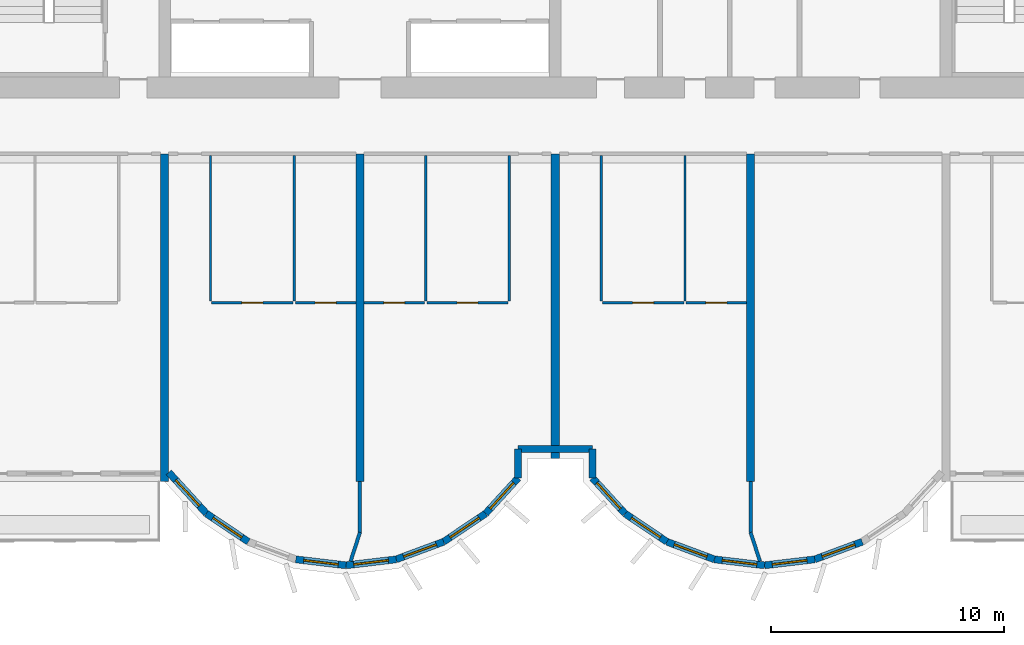
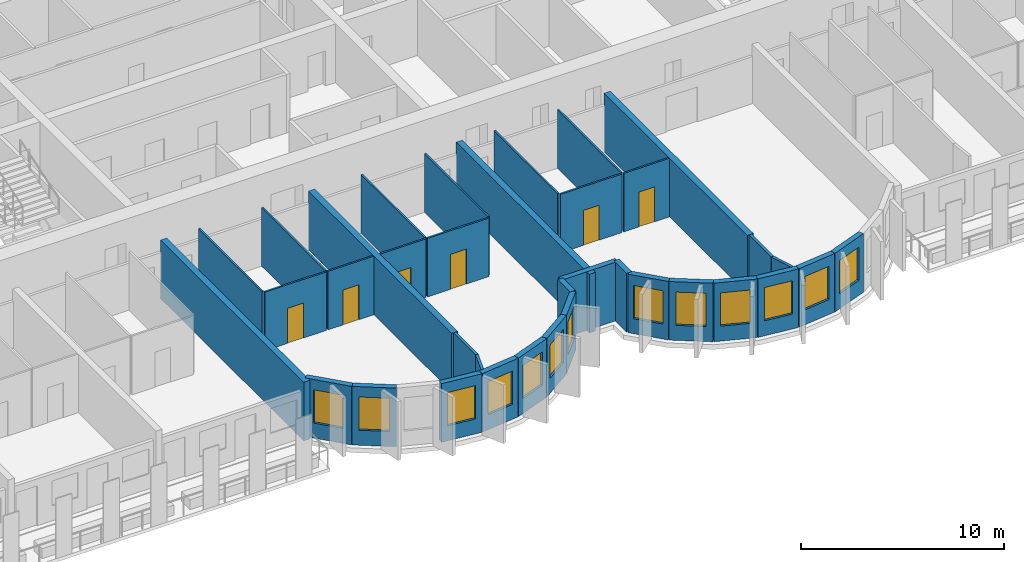
# One storey, part 5 of 14: 36 walls, 13 windows, 6 doors, 19 openings.
"""IFC4 building model written with IfcOpenShell, lengths in metres."""

from ifc_helpers import new_model, si_unit, direction, frame, frame_2d, origin, place, context, subcontext, project, spatial, rectangle, extrude, source, transform, mapped, material, layer, layer_set, type_object, element, fill, save


model = new_model("IFC4")

# Units and contexts
model_context = context("Model", 3, precision=1e-05, world=origin(), true_north=direction((0.0, 1.0)))
body_context = subcontext(model_context, "Body", "Model", "MODEL_VIEW")
ifc_project = project(units=[si_unit("LENGTHUNIT", "METRE"), si_unit("AREAUNIT", "SQUARE_METRE"), si_unit("VOLUMEUNIT", "CUBIC_METRE"), si_unit("PLANEANGLEUNIT", "RADIAN"), si_unit("MASSUNIT", "GRAM", prefix="KILO")], contexts=[model_context])

# Site, building, storey
site_placement = place(None, origin())
site = spatial("IfcSite", under=ifc_project, at=site_placement, CompositionType="ELEMENT")
building_placement = place(site_placement, origin())
building = spatial("IfcBuilding", under=site, at=building_placement, Name="Vanashikhar Sky Hotel", CompositionType="ELEMENT")
storey_placement = place(building_placement, frame((0.0, 0.0, 121.800048828125)))
storey = spatial("IfcBuildingStorey", under=building, at=storey_placement, Name="L29", CompositionType="ELEMENT", Elevation=121.800048828125)

# Walls
ifc_material_1 = material(Name="Concrete M70", Category="concrete")
ifc_layer_1 = layer(ifc_material_1, 0.35009765625)
ifc_layer_set_1 = layer_set([ifc_layer_1], Name="RC shear wall 350 Concrete M70")
wall_type_1 = type_object("IfcWallType", Name="RC shear wall 350 Concrete M70", PredefinedType="SHEAR", material=ifc_layer_set_1)
shared_shape_1 = source(origin(), body_context, "Body", "SweptSolid", [
    extrude(rectangle(XDim=14.10009765625, YDim=0.35009765625, at=frame_2d((7.050048828125, 0.0))), origin(), (0.0, 0.0, 1.0), 3.52001953125),
])
for number, where, z_axis, x_axis, name in (
    (1, (33.60009765625, 5.5, 0.0), (0.0, 0.0, 1.0), (0.0, 1.0, 0.0), "CW-L29-XW05-1"),
    (2, (42.0, 5.5, 0.0), (0.0, 0.0, 1.0), (0.0, 1.0, 0.0), "CW-L29-XW06-1"),
    (3, (58.800048828125, 5.5, 0.0), (0.0, 0.0, 1.0), (0.0, 1.0, 0.0), "CW-L29-XW08-1"),
):
    element("IfcWall", number, at=place(storey_placement, frame(where, z_axis=z_axis, x_axis=x_axis)), inside=storey, type_object=wall_type_1, Name=name, PredefinedType="SHEAR", context=body_context, shape_type="MappedRepresentation", body=[
        mapped(shared_shape_1, transform((0.0, 0.0, 0.0), scale=1.0)),
    ])
shared_shape_2 = source(origin(), body_context, "Body", "SweptSolid", [
    extrude(rectangle(XDim=13.10009765625, YDim=0.35009765625, at=frame_2d((6.550048828125, 0.0))), origin(), (0.0, 0.0, 1.0), 3.52001953125),
])
wall_1_placement = place(storey_placement, frame((50.39990234375, 6.5, 0.0), z_axis=(0.0, 0.0, 1.0), x_axis=(0.0, 1.0, 0.0)))
element("IfcWall", 4, at=wall_1_placement, inside=storey, type_object=wall_type_1, Name="CW-L29-XW07-1", PredefinedType="SHEAR", context=body_context, shape_type="MappedRepresentation", body=[
    mapped(shared_shape_2, transform((0.0, 0.0, 0.0), scale=1.0)),
])

# Wall, opening, window
ifc_material_2 = material(Name="Concrete M50", Category="concrete")
ifc_layer_2 = layer(ifc_material_2, 0.300048828125)
ifc_layer_set_2 = layer_set([ifc_layer_2], Name="Lobe wall 300")
wall_type_2 = type_object("IfcWallType", Name="Lobe wall 300", PredefinedType="SOLIDWALL", material=ifc_layer_set_2)
shared_shape_3 = source(origin(), body_context, "Body", "SweptSolid", [
    extrude(rectangle(XDim=2.398193359375, YDim=0.300048828125, at=frame_2d((1.19921875, 0.0))), origin(), (0.0, 0.0, 1.0), 3.52001953125),
])
wall_2_placement = place(storey_placement, frame((33.776123046875, 5.89990234375, 0.0), z_axis=(0.0, 0.0, 1.0), x_axis=(0.675374189419, -0.737475222815, 0.0)))
wall_2 = element("IfcWall", 5, at=wall_2_placement, inside=storey, type_object=wall_type_2, Name="Lobe wall", PredefinedType="SOLIDWALL", context=body_context, shape_type="MappedRepresentation", body=[
    mapped(shared_shape_3, transform((0.0, 0.0, 0.0), scale=1.0)),
])
shared_shape_4 = source(origin(), body_context, "Body", "SweptSolid", [
    extrude(rectangle(XDim=1.5, YDim=2.0, at=frame_2d((0.75, 1.0))), frame((0.0, 0.16015625, 0.0), z_axis=(0.0, -1.0, 0.0), x_axis=(1.0, 0.0, 0.0)), (0.0, 0.0, 1.0), 0.320068359375),
])
opening_1_placement = place(wall_2_placement, frame((0.44921875, 0.0, 0.89990234375)))
opening_1 = element("IfcOpeningElement", 6, at=opening_1_placement, cuts=wall_2, Name="Opening WN-2", PredefinedType="OPENING", context=body_context, shape_type="MappedRepresentation", body=[
    mapped(shared_shape_4, transform((0.0, 0.0, 0.0), scale=1.0)),
])
ifc_material_3 = material(Name="Glass", Category="glass")
window_type = type_object("IfcWindowType", Name="Lobe window 1500 x 2000", PartitioningType="SINGLE_PANEL", PredefinedType="WINDOW", material=ifc_material_3)
shared_shape_5 = source(origin(), body_context, "Body", "SweptSolid", [
    extrude(rectangle(XDim=1.5, YDim=2.0, at=frame_2d((0.75, 1.0))), frame((0.0, 0.030029296875, 0.0), z_axis=(0.0, -1.0, 0.0), x_axis=(1.0, 0.0, 0.0)), (0.0, 0.0, 1.0), 0.06005859375),
])
window_1_placement = place(opening_1_placement, origin())
window_1 = element("IfcWindow", 7, at=window_1_placement, inside=storey, type_object=window_type, Name="Window WN-2", OverallHeight=2.0, OverallWidth=1.5, PartitioningType="SINGLE_PANEL", PredefinedType="WINDOW", context=body_context, shape_type="MappedRepresentation", body=[
    mapped(shared_shape_5, transform((0.0, 0.0, 0.0), scale=1.0)),
])
fill(opening_1, window_1)

shared_shape_6 = source(origin(), body_context, "Body", "SweptSolid", [
    extrude(rectangle(XDim=2.17578125, YDim=0.300048828125, at=frame_2d((1.087890625, 0.0))), origin(), (0.0, 0.0, 1.0), 3.52001953125),
])
wall_3_placement = place(storey_placement, frame((35.395751953125, 4.13134765625, 0.0), z_axis=(0.0, 0.0, 1.0), x_axis=(0.829590746428, -0.558371913192, 0.0)))
wall_3 = element("IfcWall", 8, at=wall_3_placement, inside=storey, type_object=wall_type_2, Name="Lobe wall", PredefinedType="SOLIDWALL", context=body_context, shape_type="MappedRepresentation", body=[
    mapped(shared_shape_6, transform((0.0, 0.0, 0.0), scale=1.0)),
])
opening_2_placement = place(wall_3_placement, frame((0.337890625, 0.0, 0.89990234375)))
opening_2 = element("IfcOpeningElement", 9, at=opening_2_placement, cuts=wall_3, Name="Opening WN-2", PredefinedType="OPENING", context=body_context, shape_type="MappedRepresentation", body=[
    mapped(shared_shape_4, transform((0.0, 0.0, 0.0), scale=1.0)),
])
window_2_placement = place(opening_2_placement, origin())
window_2 = element("IfcWindow", 10, at=window_2_placement, inside=storey, type_object=window_type, Name="Window WN-2", OverallHeight=2.0, OverallWidth=1.5, PartitioningType="SINGLE_PANEL", PredefinedType="WINDOW", context=body_context, shape_type="MappedRepresentation", body=[
    mapped(shared_shape_5, transform((0.0, 0.0, 0.0), scale=1.0)),
])
fill(opening_2, window_2)

wall_4_placement = place(storey_placement, frame((45.59912109375, 2.91650390625, 0.0), z_axis=(0.0, 0.0, 1.0), x_axis=(0.829625727223, 0.558319937607, 0.0)))
wall_4 = element("IfcWall", 11, at=wall_4_placement, inside=storey, type_object=wall_type_2, Name="Lobe wall", PredefinedType="SOLIDWALL", context=body_context, shape_type="MappedRepresentation", body=[
    mapped(shared_shape_6, transform((0.0, 0.0, 0.0), scale=1.0)),
])
opening_3_placement = place(wall_4_placement, frame((0.337890625, 0.0, 0.89990234375)))
opening_3 = element("IfcOpeningElement", 12, at=opening_3_placement, cuts=wall_4, Name="Opening WN-2", PredefinedType="OPENING", context=body_context, shape_type="MappedRepresentation", body=[
    mapped(shared_shape_4, transform((0.0, 0.0, 0.0), scale=1.0)),
])
window_3_placement = place(opening_3_placement, origin())
window_3 = element("IfcWindow", 13, at=window_3_placement, inside=storey, type_object=window_type, Name="Window WN-2", OverallHeight=2.0, OverallWidth=1.5, PartitioningType="SINGLE_PANEL", PredefinedType="WINDOW", context=body_context, shape_type="MappedRepresentation", body=[
    mapped(shared_shape_5, transform((0.0, 0.0, 0.0), scale=1.0)),
])
fill(opening_3, window_3)

wall_5_placement = place(storey_placement, frame((53.395751953125, 4.13134765625, 0.0), z_axis=(0.0, 0.0, 1.0), x_axis=(0.829590746428, -0.558371913192, 0.0)))
wall_5 = element("IfcWall", 14, at=wall_5_placement, inside=storey, type_object=wall_type_2, Name="Lobe wall", PredefinedType="SOLIDWALL", context=body_context, shape_type="MappedRepresentation", body=[
    mapped(shared_shape_6, transform((0.0, 0.0, 0.0), scale=1.0)),
])
opening_4_placement = place(wall_5_placement, frame((0.337890625, 0.0, 0.89990234375)))
opening_4 = element("IfcOpeningElement", 15, at=opening_4_placement, cuts=wall_5, Name="Opening WN-2", PredefinedType="OPENING", context=body_context, shape_type="MappedRepresentation", body=[
    mapped(shared_shape_4, transform((0.0, 0.0, 0.0), scale=1.0)),
])
window_4_placement = place(opening_4_placement, origin())
window_4 = element("IfcWindow", 16, at=window_4_placement, inside=storey, type_object=window_type, Name="Window WN-2", OverallHeight=2.0, OverallWidth=1.5, PartitioningType="SINGLE_PANEL", PredefinedType="WINDOW", context=body_context, shape_type="MappedRepresentation", body=[
    mapped(shared_shape_5, transform((0.0, 0.0, 0.0), scale=1.0)),
])
fill(opening_4, window_4)

wall_6_placement = place(storey_placement, frame((55.20068359375, 2.91650390625, 0.0), z_axis=(0.0, 0.0, 1.0), x_axis=(0.93754555999, -0.347862505801, 0.0)))
wall_6 = element("IfcWall", 17, at=wall_6_placement, inside=storey, type_object=wall_type_2, Name="Lobe wall", PredefinedType="SOLIDWALL", context=body_context, shape_type="MappedRepresentation", body=[
    mapped(shared_shape_6, transform((0.0, 0.0, 0.0), scale=1.0)),
])
opening_5_placement = place(wall_6_placement, frame((0.337890625, 0.0, 0.89990234375)))
opening_5 = element("IfcOpeningElement", 18, at=opening_5_placement, cuts=wall_6, Name="Opening WN-2", PredefinedType="OPENING", context=body_context, shape_type="MappedRepresentation", body=[
    mapped(shared_shape_4, transform((0.0, 0.0, 0.0), scale=1.0)),
])
window_5_placement = place(opening_5_placement, origin())
window_5 = element("IfcWindow", 19, at=window_5_placement, inside=storey, type_object=window_type, Name="Window WN-2", OverallHeight=2.0, OverallWidth=1.5, PartitioningType="SINGLE_PANEL", PredefinedType="WINDOW", context=body_context, shape_type="MappedRepresentation", body=[
    mapped(shared_shape_5, transform((0.0, 0.0, 0.0), scale=1.0)),
])
fill(opening_5, window_5)

shared_shape_7 = source(origin(), body_context, "Body", "SweptSolid", [
    extrude(rectangle(XDim=2.174560546875, YDim=0.300048828125, at=frame_2d((1.08740234375, 0.0))), origin(), (0.0, 0.0, 1.0), 3.52001953125),
])
wall_7_placement = place(storey_placement, frame((39.240478515625, 2.15966796875, 0.0), z_axis=(0.0, 0.0, 1.0), x_axis=(0.993001132889, -0.118104826659, 0.0)))
wall_7 = element("IfcWall", 20, at=wall_7_placement, inside=storey, type_object=wall_type_2, Name="Lobe wall", PredefinedType="SOLIDWALL", context=body_context, shape_type="MappedRepresentation", body=[
    mapped(shared_shape_7, transform((0.0, 0.0, 0.0), scale=1.0)),
])
opening_6_placement = place(wall_7_placement, frame((0.33740234375, 0.0, 0.89990234375)))
opening_6 = element("IfcOpeningElement", 21, at=opening_6_placement, cuts=wall_7, Name="Opening WN-2", PredefinedType="OPENING", context=body_context, shape_type="MappedRepresentation", body=[
    mapped(shared_shape_4, transform((0.0, 0.0, 0.0), scale=1.0)),
])
window_6_placement = place(opening_6_placement, origin())
window_6 = element("IfcWindow", 22, at=window_6_placement, inside=storey, type_object=window_type, Name="Window WN-2", OverallHeight=2.0, OverallWidth=1.5, PartitioningType="SINGLE_PANEL", PredefinedType="WINDOW", context=body_context, shape_type="MappedRepresentation", body=[
    mapped(shared_shape_5, transform((0.0, 0.0, 0.0), scale=1.0)),
])
fill(opening_6, window_6)

wall_8_placement = place(storey_placement, frame((57.240478515625, 2.15966796875, 0.0), z_axis=(0.0, 0.0, 1.0), x_axis=(0.993001132889, -0.118104826659, 0.0)))
wall_8 = element("IfcWall", 23, at=wall_8_placement, inside=storey, type_object=wall_type_2, Name="Lobe wall", PredefinedType="SOLIDWALL", context=body_context, shape_type="MappedRepresentation", body=[
    mapped(shared_shape_7, transform((0.0, 0.0, 0.0), scale=1.0)),
])
opening_7_placement = place(wall_8_placement, frame((0.33740234375, 0.0, 0.89990234375)))
opening_7 = element("IfcOpeningElement", 24, at=opening_7_placement, cuts=wall_8, Name="Opening WN-2", PredefinedType="OPENING", context=body_context, shape_type="MappedRepresentation", body=[
    mapped(shared_shape_4, transform((0.0, 0.0, 0.0), scale=1.0)),
])
window_7_placement = place(opening_7_placement, origin())
window_7 = element("IfcWindow", 25, at=window_7_placement, inside=storey, type_object=window_type, Name="Window WN-2", OverallHeight=2.0, OverallWidth=1.5, PartitioningType="SINGLE_PANEL", PredefinedType="WINDOW", context=body_context, shape_type="MappedRepresentation", body=[
    mapped(shared_shape_5, transform((0.0, 0.0, 0.0), scale=1.0)),
])
fill(opening_7, window_7)

shared_shape_8 = source(origin(), body_context, "Body", "SweptSolid", [
    extrude(rectangle(XDim=2.1748046875, YDim=0.300048828125, at=frame_2d((1.08740234375, 0.0))), origin(), (0.0, 0.0, 1.0), 3.52001953125),
])
wall_9_placement = place(storey_placement, frame((41.39990234375, 1.90283203125, 0.0), z_axis=(0.0, 0.0, 1.0), x_axis=(0.993002698611, 0.118091661648, 0.0)))
wall_9 = element("IfcWall", 26, at=wall_9_placement, inside=storey, type_object=wall_type_2, Name="Lobe wall", PredefinedType="SOLIDWALL", context=body_context, shape_type="MappedRepresentation", body=[
    mapped(shared_shape_8, transform((0.0, 0.0, 0.0), scale=1.0)),
])
opening_8_placement = place(wall_9_placement, frame((0.33740234375, 0.0, 0.89990234375)))
opening_8 = element("IfcOpeningElement", 27, at=opening_8_placement, cuts=wall_9, Name="Opening WN-2", PredefinedType="OPENING", context=body_context, shape_type="MappedRepresentation", body=[
    mapped(shared_shape_4, transform((0.0, 0.0, 0.0), scale=1.0)),
])
window_8_placement = place(opening_8_placement, origin())
window_8 = element("IfcWindow", 28, at=window_8_placement, inside=storey, type_object=window_type, Name="Window WN-2", OverallHeight=2.0, OverallWidth=1.5, PartitioningType="SINGLE_PANEL", PredefinedType="WINDOW", context=body_context, shape_type="MappedRepresentation", body=[
    mapped(shared_shape_5, transform((0.0, 0.0, 0.0), scale=1.0)),
])
fill(opening_8, window_8)

wall_10_placement = place(storey_placement, frame((59.39990234375, 1.90283203125, 0.0), z_axis=(0.0, 0.0, 1.0), x_axis=(0.993002698611, 0.118091661648, 0.0)))
wall_10 = element("IfcWall", 29, at=wall_10_placement, inside=storey, type_object=wall_type_2, Name="Lobe wall", PredefinedType="SOLIDWALL", context=body_context, shape_type="MappedRepresentation", body=[
    mapped(shared_shape_8, transform((0.0, 0.0, 0.0), scale=1.0)),
])
opening_9_placement = place(wall_10_placement, frame((0.33740234375, 0.0, 0.89990234375)))
opening_9 = element("IfcOpeningElement", 30, at=opening_9_placement, cuts=wall_10, Name="Opening WN-2", PredefinedType="OPENING", context=body_context, shape_type="MappedRepresentation", body=[
    mapped(shared_shape_4, transform((0.0, 0.0, 0.0), scale=1.0)),
])
window_9_placement = place(opening_9_placement, origin())
window_9 = element("IfcWindow", 31, at=window_9_placement, inside=storey, type_object=window_type, Name="Window WN-2", OverallHeight=2.0, OverallWidth=1.5, PartitioningType="SINGLE_PANEL", PredefinedType="WINDOW", context=body_context, shape_type="MappedRepresentation", body=[
    mapped(shared_shape_5, transform((0.0, 0.0, 0.0), scale=1.0)),
])
fill(opening_9, window_9)

shared_shape_9 = source(origin(), body_context, "Body", "SweptSolid", [
    extrude(rectangle(XDim=2.175537109375, YDim=0.300048828125, at=frame_2d((1.087890625, 0.0))), origin(), (0.0, 0.0, 1.0), 3.52001953125),
])
wall_11_placement = place(storey_placement, frame((43.5595703125, 2.15966796875, 0.0), z_axis=(0.0, 0.0, 1.0), x_axis=(0.937531979054, 0.347899106424, 0.0)))
wall_11 = element("IfcWall", 32, at=wall_11_placement, inside=storey, type_object=wall_type_2, Name="Lobe wall", PredefinedType="SOLIDWALL", context=body_context, shape_type="MappedRepresentation", body=[
    mapped(shared_shape_9, transform((0.0, 0.0, 0.0), scale=1.0)),
])
opening_10_placement = place(wall_11_placement, frame((0.337890625, 0.0, 0.89990234375)))
opening_10 = element("IfcOpeningElement", 33, at=opening_10_placement, cuts=wall_11, Name="Opening WN-2", PredefinedType="OPENING", context=body_context, shape_type="MappedRepresentation", body=[
    mapped(shared_shape_4, transform((0.0, 0.0, 0.0), scale=1.0)),
])
window_10_placement = place(opening_10_placement, origin())
window_10 = element("IfcWindow", 34, at=window_10_placement, inside=storey, type_object=window_type, Name="Window WN-2", OverallHeight=2.0, OverallWidth=1.5, PartitioningType="SINGLE_PANEL", PredefinedType="WINDOW", context=body_context, shape_type="MappedRepresentation", body=[
    mapped(shared_shape_5, transform((0.0, 0.0, 0.0), scale=1.0)),
])
fill(opening_10, window_10)

wall_12_placement = place(storey_placement, frame((61.5595703125, 2.15966796875, 0.0), z_axis=(0.0, 0.0, 1.0), x_axis=(0.937531979054, 0.347899106424, 0.0)))
wall_12 = element("IfcWall", 35, at=wall_12_placement, inside=storey, type_object=wall_type_2, Name="Lobe wall", PredefinedType="SOLIDWALL", context=body_context, shape_type="MappedRepresentation", body=[
    mapped(shared_shape_9, transform((0.0, 0.0, 0.0), scale=1.0)),
])
opening_11_placement = place(wall_12_placement, frame((0.337890625, 0.0, 0.89990234375)))
opening_11 = element("IfcOpeningElement", 36, at=opening_11_placement, cuts=wall_12, Name="Opening WN-2", PredefinedType="OPENING", context=body_context, shape_type="MappedRepresentation", body=[
    mapped(shared_shape_4, transform((0.0, 0.0, 0.0), scale=1.0)),
])
window_11_placement = place(opening_11_placement, origin())
window_11 = element("IfcWindow", 37, at=window_11_placement, inside=storey, type_object=window_type, Name="Window WN-2", OverallHeight=2.0, OverallWidth=1.5, PartitioningType="SINGLE_PANEL", PredefinedType="WINDOW", context=body_context, shape_type="MappedRepresentation", body=[
    mapped(shared_shape_5, transform((0.0, 0.0, 0.0), scale=1.0)),
])
fill(opening_11, window_11)

shared_shape_10 = source(origin(), body_context, "Body", "SweptSolid", [
    extrude(rectangle(XDim=2.066650390625, YDim=0.300048828125, at=frame_2d((1.033203125, 0.0))), origin(), (0.0, 0.0, 1.0), 3.52001953125),
])
wall_13_placement = place(storey_placement, frame((47.404296875, 4.13134765625, 0.0), z_axis=(0.0, 0.0, 1.0), x_axis=(0.675355439877, 0.737492393065, 0.0)))
wall_13 = element("IfcWall", 38, at=wall_13_placement, inside=storey, type_object=wall_type_2, Name="Lobe wall", PredefinedType="SOLIDWALL", context=body_context, shape_type="MappedRepresentation", body=[
    mapped(shared_shape_10, transform((0.0, 0.0, 0.0), scale=1.0)),
])
opening_12_placement = place(wall_13_placement, frame((0.283447265625, 0.0, 0.89990234375)))
opening_12 = element("IfcOpeningElement", 39, at=opening_12_placement, cuts=wall_13, Name="Opening WN-2", PredefinedType="OPENING", context=body_context, shape_type="MappedRepresentation", body=[
    mapped(shared_shape_4, transform((0.0, 0.0, 0.0), scale=1.0)),
])
window_12_placement = place(opening_12_placement, origin())
window_12 = element("IfcWindow", 40, at=window_12_placement, inside=storey, type_object=window_type, Name="Window WN-2", OverallHeight=2.0, OverallWidth=1.5, PartitioningType="SINGLE_PANEL", PredefinedType="WINDOW", context=body_context, shape_type="MappedRepresentation", body=[
    mapped(shared_shape_5, transform((0.0, 0.0, 0.0), scale=1.0)),
])
fill(opening_12, window_12)

wall_14_placement = place(storey_placement, frame((52.0, 5.655517578125, 0.0), z_axis=(0.0, 0.0, 1.0), x_axis=(0.675355439877, -0.737492393065, 0.0)))
wall_14 = element("IfcWall", 41, at=wall_14_placement, inside=storey, type_object=wall_type_2, Name="Lobe wall", PredefinedType="SOLIDWALL", context=body_context, shape_type="MappedRepresentation", body=[
    mapped(shared_shape_10, transform((0.0, 0.0, 0.0), scale=1.0)),
])
opening_13_placement = place(wall_14_placement, frame((0.283447265625, 0.0, 0.89990234375)))
opening_13 = element("IfcOpeningElement", 42, at=opening_13_placement, cuts=wall_14, Name="Opening WN-2", PredefinedType="OPENING", context=body_context, shape_type="MappedRepresentation", body=[
    mapped(shared_shape_4, transform((0.0, 0.0, 0.0), scale=1.0)),
])
window_13_placement = place(opening_13_placement, origin())
window_13 = element("IfcWindow", 43, at=window_13_placement, inside=storey, type_object=window_type, Name="Window WN-2", OverallHeight=2.0, OverallWidth=1.5, PartitioningType="SINGLE_PANEL", PredefinedType="WINDOW", context=body_context, shape_type="MappedRepresentation", body=[
    mapped(shared_shape_5, transform((0.0, 0.0, 0.0), scale=1.0)),
])
fill(opening_13, window_13)

# Walls
shared_shape_11 = source(origin(), body_context, "Body", "SweptSolid", [
    extrude(rectangle(XDim=1.244384765625, YDim=0.300048828125, at=frame_2d((0.6220703125, 0.0))), origin(), (0.0, 0.0, 1.0), 3.52001953125),
])
for number, where, z_axis, x_axis, name in (
    (44, (48.800048828125, 5.655517578125, 0.0), (0.0, 0.0, 1.0), (0.0, 1.0, 0.0), "Groove wall"),
    (45, (52.0, 6.89990234375, 0.0), (0.0, 0.0, 1.0), (0.0, -1.0, 0.0), "Groove wall"),
):
    element("IfcWall", number, at=place(storey_placement, frame(where, z_axis=z_axis, x_axis=x_axis)), inside=storey, type_object=wall_type_2, Name=name, PredefinedType="SOLIDWALL", context=body_context, shape_type="MappedRepresentation", body=[
        mapped(shared_shape_11, transform((0.0, 0.0, 0.0), scale=1.0)),
    ])
shared_shape_12 = source(origin(), body_context, "Body", "SweptSolid", [
    extrude(rectangle(XDim=3.199951171875, YDim=0.300048828125, at=frame_2d((1.60009765625, 0.0))), origin(), (0.0, 0.0, 1.0), 3.52001953125),
])
wall_15_placement = place(storey_placement, frame((48.800048828125, 6.89990234375, 0.0), z_axis=(0.0, 0.0, 1.0), x_axis=(1.0, 0.0, 0.0)))
element("IfcWall", 46, at=wall_15_placement, inside=storey, type_object=wall_type_2, Name="Groove wall", PredefinedType="SOLIDWALL", context=body_context, shape_type="MappedRepresentation", body=[
    mapped(shared_shape_12, transform((0.0, 0.0, 0.0), scale=1.0)),
])
ifc_material_4 = material(Name="Gypsum plasterboard partition")
ifc_layer_3 = layer(ifc_material_4, 0.14990234375)
ifc_layer_set_3 = layer_set([ifc_layer_3], Name="Corridor and demising partition 150")
wall_type_3 = type_object("IfcWallType", Name="Corridor and demising partition 150", PredefinedType="PARTITIONING", material=ifc_layer_set_3)
shared_shape_13 = source(origin(), body_context, "Body", "SweptSolid", [
    extrude(rectangle(XDim=2.177978515625, YDim=0.14990234375, at=frame_2d((1.0888671875, 0.0))), origin(), (0.0, 0.0, 1.0), 3.52001953125),
])
for number, where, z_axis, x_axis, name in (
    (47, (42.0, 3.322021484375, 0.0), (0.0, 0.0, 1.0), (0.0, 1.0, 0.0), "W-L29-PW057"),
    (48, (58.800048828125, 3.322021484375, 0.0), (0.0, 0.0, 1.0), (0.0, 1.0, 0.0), "W-L29-PW058"),
):
    element("IfcWall", number, at=place(storey_placement, frame(where, z_axis=z_axis, x_axis=x_axis)), inside=storey, type_object=wall_type_3, Name=name, PredefinedType="PARTITIONING", context=body_context, shape_type="MappedRepresentation", body=[
        mapped(shared_shape_13, transform((0.0, 0.0, 0.0), scale=1.0)),
    ])

# Wall, opening, door
ifc_layer_4 = layer(ifc_material_4, 0.10009765625)
ifc_layer_set_4 = layer_set([ifc_layer_4], Name="Wet room partition 100")
wall_type_4 = type_object("IfcWallType", Name="Wet room partition 100", PredefinedType="PARTITIONING", material=ifc_layer_set_4)
shared_shape_14 = source(origin(), body_context, "Body", "SweptSolid", [
    extrude(rectangle(XDim=3.5, YDim=0.10009765625, at=frame_2d((1.75, 0.0))), origin(), (0.0, 0.0, 1.0), 3.52001953125),
])
wall_16_placement = place(storey_placement, frame((35.625, 13.199951171875, 0.0), z_axis=(0.0, 0.0, 1.0), x_axis=(1.0, 0.0, 0.0)))
wall_16 = element("IfcWall", 49, at=wall_16_placement, inside=storey, type_object=wall_type_4, Name="W-L29-PW020", PredefinedType="PARTITIONING", context=body_context, shape_type="MappedRepresentation", body=[
    mapped(shared_shape_14, transform((0.0, 0.0, 0.0), scale=1.0)),
])
shared_shape_15 = source(origin(), body_context, "Body", "SweptSolid", [
    extrude(rectangle(XDim=0.89990234375, YDim=2.10009765625, at=frame_2d((0.449951171875, 1.050048828125))), frame((0.0, 0.06005859375, 0.0), z_axis=(0.0, -1.0, 0.0), x_axis=(1.0, 0.0, 0.0)), (0.0, 0.0, 1.0), 0.1201171875),
])
opening_14_placement = place(wall_16_placement, frame((1.300048828125, 0.0, 0.0)))
opening_14 = element("IfcOpeningElement", 50, at=opening_14_placement, cuts=wall_16, Name="Opening D-02", PredefinedType="OPENING", context=body_context, shape_type="MappedRepresentation", body=[
    mapped(shared_shape_15, transform((0.0, 0.0, 0.0), scale=1.0)),
])
ifc_material_5 = material(Name="Timber door", Category="wood")
door_type = type_object("IfcDoorType", Name="Internal door 900", OperationType="NOTDEFINED", PredefinedType="DOOR", material=ifc_material_5)
shared_shape_16 = source(origin(), body_context, "Body", "SweptSolid", [
    extrude(rectangle(XDim=0.89990234375, YDim=2.10009765625, at=frame_2d((0.449951171875, 1.050048828125))), frame((0.0, 0.02490234375, 0.0), z_axis=(0.0, -1.0, 0.0), x_axis=(1.0, 0.0, 0.0)), (0.0, 0.0, 1.0), 0.050048828125),
])
door_1_placement = place(opening_14_placement, origin())
door_1 = element("IfcDoor", 51, at=door_1_placement, inside=storey, type_object=door_type, Name="D-L29-012", OperationType="SINGLE_SWING_LEFT", OverallHeight=2.10009765625, OverallWidth=0.89990234375, PredefinedType="DOOR", context=body_context, shape_type="MappedRepresentation", body=[
    mapped(shared_shape_16, transform((0.0, 0.0, 0.0), scale=1.0)),
])
fill(opening_14, door_1)

wall_17_placement = place(storey_placement, frame((44.875, 13.199951171875, 0.0), z_axis=(0.0, 0.0, 1.0), x_axis=(1.0, 0.0, 0.0)))
wall_17 = element("IfcWall", 52, at=wall_17_placement, inside=storey, type_object=wall_type_4, Name="W-L29-PW025", PredefinedType="PARTITIONING", context=body_context, shape_type="MappedRepresentation", body=[
    mapped(shared_shape_14, transform((0.0, 0.0, 0.0), scale=1.0)),
])
opening_15_placement = place(wall_17_placement, frame((1.300048828125, 0.0, 0.0)))
opening_15 = element("IfcOpeningElement", 53, at=opening_15_placement, cuts=wall_17, Name="Opening D-02", PredefinedType="OPENING", context=body_context, shape_type="MappedRepresentation", body=[
    mapped(shared_shape_15, transform((0.0, 0.0, 0.0), scale=1.0)),
])
door_2_placement = place(opening_15_placement, origin())
door_2 = element("IfcDoor", 54, at=door_2_placement, inside=storey, type_object=door_type, Name="D-L29-015", OperationType="SINGLE_SWING_RIGHT", OverallHeight=2.10009765625, OverallWidth=0.89990234375, PredefinedType="DOOR", context=body_context, shape_type="MappedRepresentation", body=[
    mapped(shared_shape_16, transform((0.0, 0.0, 0.0), scale=1.0)),
])
fill(opening_15, door_2)

wall_18_placement = place(storey_placement, frame((52.425048828125, 13.199951171875, 0.0), z_axis=(0.0, 0.0, 1.0), x_axis=(1.0, 0.0, 0.0)))
wall_18 = element("IfcWall", 55, at=wall_18_placement, inside=storey, type_object=wall_type_4, Name="W-L29-PW030", PredefinedType="PARTITIONING", context=body_context, shape_type="MappedRepresentation", body=[
    mapped(shared_shape_14, transform((0.0, 0.0, 0.0), scale=1.0)),
])
opening_16_placement = place(wall_18_placement, frame((1.300048828125, 0.0, 0.0)))
opening_16 = element("IfcOpeningElement", 56, at=opening_16_placement, cuts=wall_18, Name="Opening D-02", PredefinedType="OPENING", context=body_context, shape_type="MappedRepresentation", body=[
    mapped(shared_shape_15, transform((0.0, 0.0, 0.0), scale=1.0)),
])
door_3_placement = place(opening_16_placement, origin())
door_3 = element("IfcDoor", 57, at=door_3_placement, inside=storey, type_object=door_type, Name="D-L29-018", OperationType="SINGLE_SWING_LEFT", OverallHeight=2.10009765625, OverallWidth=0.89990234375, PredefinedType="DOOR", context=body_context, shape_type="MappedRepresentation", body=[
    mapped(shared_shape_16, transform((0.0, 0.0, 0.0), scale=1.0)),
])
fill(opening_16, door_3)

# Walls
shared_shape_17 = source(origin(), body_context, "Body", "SweptSolid", [
    extrude(rectangle(XDim=1.308349609375, YDim=0.14990234375, at=frame_2d((0.654296875, 0.0))), origin(), (0.0, 0.0, 1.0), 3.52001953125),
])
for number, where, z_axis, x_axis, name in (
    (58, (41.597900390625, 2.076904296875, 0.0), (0.0, 0.0, 1.0), (0.307313512187, 0.951608325535, 0.0), "W-L29-PW057B0"),
    (59, (59.201904296875, 2.076904296875, 0.0), (0.0, 0.0, 1.0), (-0.307144529633, 0.951662880392, 0.0), "W-L29-PW058B0"),
):
    element("IfcWall", number, at=place(storey_placement, frame(where, z_axis=z_axis, x_axis=x_axis)), inside=storey, type_object=wall_type_3, Name=name, PredefinedType="PARTITIONING", context=body_context, shape_type="MappedRepresentation", body=[
        mapped(shared_shape_17, transform((0.0, 0.0, 0.0), scale=1.0)),
    ])
shared_shape_18 = source(origin(), body_context, "Body", "SweptSolid", [
    extrude(rectangle(XDim=6.25, YDim=0.10009765625, at=frame_2d((3.125, 0.0))), origin(), (0.0, 0.0, 1.0), 3.52001953125),
])
for number, where, z_axis, x_axis, name in (
    (60, (35.574951171875, 13.27490234375, 0.0), (0.0, 0.0, 1.0), (0.0, 1.0, 0.0), "W-L29-PW018"),
    (61, (39.175048828125, 13.27490234375, 0.0), (0.0, 0.0, 1.0), (0.0, 1.0, 0.0), "W-L29-PW019"),
    (62, (48.425048828125, 13.27490234375, 0.0), (0.0, 0.0, 1.0), (0.0, 1.0, 0.0), "W-L29-PW023"),
    (63, (44.824951171875, 13.27490234375, 0.0), (0.0, 0.0, 1.0), (0.0, 1.0, 0.0), "W-L29-PW024"),
    (64, (52.375, 13.27490234375, 0.0), (0.0, 0.0, 1.0), (0.0, 1.0, 0.0), "W-L29-PW028"),
    (65, (55.97509765625, 13.27490234375, 0.0), (0.0, 0.0, 1.0), (0.0, 1.0, 0.0), "W-L29-PW029"),
):
    element("IfcWall", number, at=place(storey_placement, frame(where, z_axis=z_axis, x_axis=x_axis)), inside=storey, type_object=wall_type_4, Name=name, PredefinedType="PARTITIONING", context=body_context, shape_type="MappedRepresentation", body=[
        mapped(shared_shape_18, transform((0.0, 0.0, 0.0), scale=1.0)),
    ])

# Wall, opening, door
shared_shape_19 = source(origin(), body_context, "Body", "SweptSolid", [
    extrude(rectangle(XDim=2.60009765625, YDim=0.10009765625, at=frame_2d((1.300048828125, 0.0))), origin(), (0.0, 0.0, 1.0), 3.52001953125),
])
wall_19_placement = place(storey_placement, frame((56.02490234375, 13.199951171875, 0.0), z_axis=(0.0, 0.0, 1.0), x_axis=(1.0, 0.0, 0.0)))
wall_19 = element("IfcWall", 66, at=wall_19_placement, inside=storey, type_object=wall_type_4, Name="W-L29-PW031", PredefinedType="PARTITIONING", context=body_context, shape_type="MappedRepresentation", body=[
    mapped(shared_shape_19, transform((0.0, 0.0, 0.0), scale=1.0)),
])
opening_17_placement = place(wall_19_placement, frame((0.85009765625, 0.0, 0.0)))
opening_17 = element("IfcOpeningElement", 67, at=opening_17_placement, cuts=wall_19, Name="Opening D-02", PredefinedType="OPENING", context=body_context, shape_type="MappedRepresentation", body=[
    mapped(shared_shape_15, transform((0.0, 0.0, 0.0), scale=1.0)),
])
door_4_placement = place(opening_17_placement, origin())
door_4 = element("IfcDoor", 68, at=door_4_placement, inside=storey, type_object=door_type, Name="D-L29-019", OperationType="SINGLE_SWING_LEFT", OverallHeight=2.10009765625, OverallWidth=0.89990234375, PredefinedType="DOOR", context=body_context, shape_type="MappedRepresentation", body=[
    mapped(shared_shape_16, transform((0.0, 0.0, 0.0), scale=1.0)),
])
fill(opening_17, door_4)

shared_shape_20 = source(origin(), body_context, "Body", "SweptSolid", [
    extrude(rectangle(XDim=2.599853515625, YDim=0.10009765625, at=frame_2d((1.2998046875, 0.0))), origin(), (0.0, 0.0, 1.0), 3.52001953125),
])
wall_20_placement = place(storey_placement, frame((39.22509765625, 13.199951171875, 0.0), z_axis=(0.0, 0.0, 1.0), x_axis=(1.0, 0.0, 0.0)))
wall_20 = element("IfcWall", 69, at=wall_20_placement, inside=storey, type_object=wall_type_4, Name="W-L29-PW021", PredefinedType="PARTITIONING", context=body_context, shape_type="MappedRepresentation", body=[
    mapped(shared_shape_20, transform((0.0, 0.0, 0.0), scale=1.0)),
])
opening_18_placement = place(wall_20_placement, frame((0.85009765625, 0.0, 0.0)))
opening_18 = element("IfcOpeningElement", 70, at=opening_18_placement, cuts=wall_20, Name="Opening D-02", PredefinedType="OPENING", context=body_context, shape_type="MappedRepresentation", body=[
    mapped(shared_shape_15, transform((0.0, 0.0, 0.0), scale=1.0)),
])
door_5_placement = place(opening_18_placement, origin())
door_5 = element("IfcDoor", 71, at=door_5_placement, inside=storey, type_object=door_type, Name="D-L29-013", OperationType="SINGLE_SWING_LEFT", OverallHeight=2.10009765625, OverallWidth=0.89990234375, PredefinedType="DOOR", context=body_context, shape_type="MappedRepresentation", body=[
    mapped(shared_shape_16, transform((0.0, 0.0, 0.0), scale=1.0)),
])
fill(opening_18, door_5)

wall_21_placement = place(storey_placement, frame((42.175048828125, 13.199951171875, 0.0), z_axis=(0.0, 0.0, 1.0), x_axis=(1.0, 0.0, 0.0)))
wall_21 = element("IfcWall", 72, at=wall_21_placement, inside=storey, type_object=wall_type_4, Name="W-L29-PW026", PredefinedType="PARTITIONING", context=body_context, shape_type="MappedRepresentation", body=[
    mapped(shared_shape_20, transform((0.0, 0.0, 0.0), scale=1.0)),
])
opening_19_placement = place(wall_21_placement, frame((0.85009765625, 0.0, 0.0)))
opening_19 = element("IfcOpeningElement", 73, at=opening_19_placement, cuts=wall_21, Name="Opening D-02", PredefinedType="OPENING", context=body_context, shape_type="MappedRepresentation", body=[
    mapped(shared_shape_15, transform((0.0, 0.0, 0.0), scale=1.0)),
])
door_6_placement = place(opening_19_placement, origin())
door_6 = element("IfcDoor", 74, at=door_6_placement, inside=storey, type_object=door_type, Name="D-L29-016", OperationType="SINGLE_SWING_RIGHT", OverallHeight=2.10009765625, OverallWidth=0.89990234375, PredefinedType="DOOR", context=body_context, shape_type="MappedRepresentation", body=[
    mapped(shared_shape_16, transform((0.0, 0.0, 0.0), scale=1.0)),
])
fill(opening_19, door_6)

save(model, "model.ifc")
